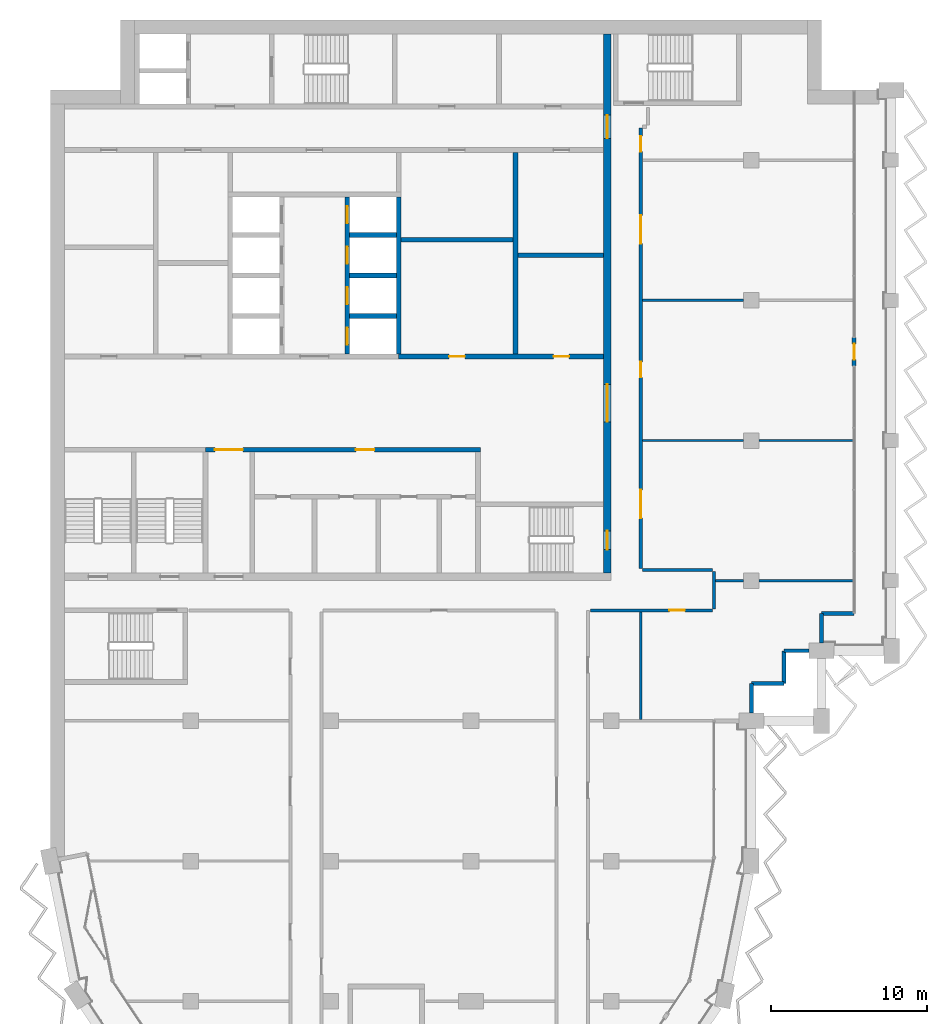
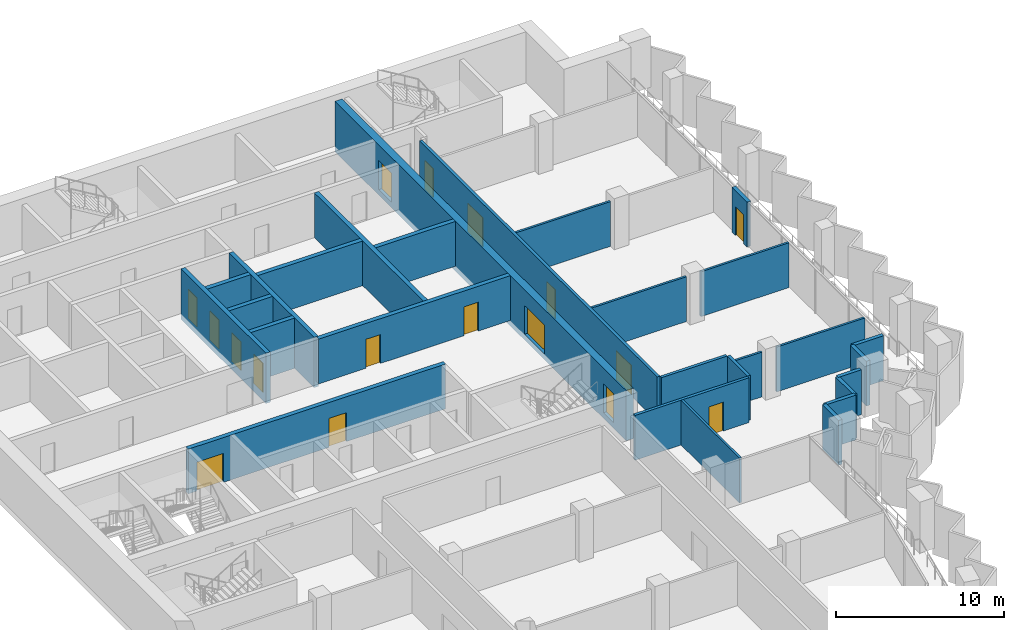
# One storey, part 10 of 17: 28 walls, 17 doors, 17 openings.
"""IFC4 building model written with IfcOpenShell, lengths in metres."""

from ifc_helpers import new_model, si_unit, direction, frame, frame_2d, origin, place, context, subcontext, project, spatial, rectangle, extrude, material, layer, layer_set, type_object, element, fill, save


model = new_model("IFC4")

# Units and contexts
model_context = context("Model", 3, precision=1e-05, world=origin(), true_north=direction((0.0, 1.0)))
body_context = subcontext(model_context, "Body", "Model", "MODEL_VIEW")
ifc_project = project(units=[si_unit("LENGTHUNIT", "METRE"), si_unit("AREAUNIT", "SQUARE_METRE"), si_unit("VOLUMEUNIT", "CUBIC_METRE"), si_unit("PLANEANGLEUNIT", "RADIAN"), si_unit("MASSUNIT", "GRAM", prefix="KILO")], contexts=[model_context])

# Site, building, storey
site_placement = place(None, origin())
site = spatial("IfcSite", under=ifc_project, at=site_placement, CompositionType="ELEMENT")
building_placement = place(site_placement, origin())
building = spatial("IfcBuilding", under=site, at=building_placement, Name="Hunhe Ridgeline Campus", CompositionType="ELEMENT")
storey_placement = place(building_placement, frame((0.0, 0.0, 272.5)))
storey = spatial("IfcBuildingStorey", under=building, at=storey_placement, Name="L70", CompositionType="ELEMENT", Elevation=272.5)

# Wall, openings, doors
ifc_material_1 = material(Name="Masonry concrete blockwork", Category="masonry")
ifc_layer_1 = layer(ifc_material_1, 0.300048828125)
ifc_layer_set_1 = layer_set([ifc_layer_1], Name="Core room partition 300 concrete block")
wall_type_1 = type_object("IfcWallType", Name="Core room partition 300 concrete block", PredefinedType="PARTITIONING", material=ifc_layer_set_1)
wall_1_placement = place(storey_placement, frame((9.949951171875, 71.39990234375, 0.0), z_axis=(0.0, 0.0, 1.0), x_axis=(1.0, 0.0, 0.0)))
wall_1 = element("IfcWall", 1, at=wall_1_placement, inside=storey, type_object=wall_type_1, Name="L70 core partition 9", PredefinedType="PARTITIONING", context=body_context, shape_type="SweptSolid", body=[
    extrude(rectangle(XDim=17.650146484375, YDim=0.300048828125, at=frame_2d((8.8251953125, 0.0))), origin(), (0.0, 0.0, 1.0), 3.25),
])
opening_1_placement = place(wall_1_placement, frame((0.60009765625, 0.0, 0.0)))
opening_1 = element("IfcOpeningElement", 2, at=opening_1_placement, cuts=wall_1, Name="Opening CD7", PredefinedType="OPENING", context=body_context, shape_type="SweptSolid", body=[
    extrude(rectangle(XDim=1.800048828125, YDim=2.10009765625, at=frame_2d((0.89990234375, 1.050048828125))), frame((0.0, 0.14990234375, 0.0), z_axis=(0.0, -1.0, 0.0), x_axis=(1.0, 0.0, 0.0)), (0.0, 0.0, 1.0), 0.300048828125),
])
opening_2_placement = place(wall_1_placement, frame((9.64990234375, 0.0, 0.0)))
opening_2 = element("IfcOpeningElement", 3, at=opening_2_placement, cuts=wall_1, Name="Opening CD12", PredefinedType="OPENING", context=body_context, shape_type="SweptSolid", body=[
    extrude(rectangle(XDim=1.199951171875, YDim=2.10009765625, at=frame_2d((0.60009765625, 1.050048828125))), frame((0.0, 0.14990234375, 0.0), z_axis=(0.0, -1.0, 0.0), x_axis=(1.0, 0.0, 0.0)), (0.0, 0.0, 1.0), 0.300048828125),
])
ifc_material_2 = material(Name="Anodised aluminium and glass", Category="aluminium")
door_type_1 = type_object("IfcDoorType", Name="Glazed double door 1800x2100", OperationType="DOUBLE_DOOR_SINGLE_SWING", PredefinedType="DOOR", material=ifc_material_2)
door_1_placement = place(opening_1_placement, origin())
door_1 = element("IfcDoor", 4, at=door_1_placement, inside=storey, type_object=door_type_1, Name="L70 door VEST-HALL", OperationType="DOUBLE_DOOR_SINGLE_SWING", OverallHeight=2.10009765625, OverallWidth=1.800048828125, PredefinedType="DOOR", context=body_context, shape_type="SweptSolid", body=[
    extrude(rectangle(XDim=1.800048828125, YDim=2.10009765625, at=frame_2d((0.89990234375, 1.050048828125))), frame((0.0, 0.02490234375, 0.0), z_axis=(0.0, -1.0, 0.0), x_axis=(1.0, 0.0, 0.0)), (0.0, 0.0, 1.0), 0.050048828125),
])
fill(opening_1, door_1)
ifc_material_3 = material(Name="Solid core timber door leaf", Category="wood")
door_type_2 = type_object("IfcDoorType", Name="Timber door 1200x2100", OperationType="SINGLE_SWING_LEFT", PredefinedType="DOOR", material=ifc_material_3)
door_2_placement = place(opening_2_placement, origin())
door_2 = element("IfcDoor", 5, at=door_2_placement, inside=storey, type_object=door_type_2, Name="L70 door WCL2-HALL", OperationType="SINGLE_SWING_RIGHT", OverallHeight=2.10009765625, OverallWidth=1.199951171875, PredefinedType="DOOR", context=body_context, shape_type="SweptSolid", body=[
    extrude(rectangle(XDim=1.199951171875, YDim=2.10009765625, at=frame_2d((0.60009765625, 1.050048828125))), frame((0.0, 0.02490234375, 0.0), z_axis=(0.0, -1.0, 0.0), x_axis=(1.0, 0.0, 0.0)), (0.0, 0.0, 1.0), 0.050048828125),
])
fill(opening_2, door_2)

wall_2_placement = place(storey_placement, frame((22.35009765625, 77.39990234375, 0.0), z_axis=(0.0, 0.0, 1.0), x_axis=(1.0, 0.0, 0.0)))
wall_2 = element("IfcWall", 6, at=wall_2_placement, inside=storey, type_object=wall_type_1, Name="L70 core partition 11", PredefinedType="PARTITIONING", context=body_context, shape_type="SweptSolid", body=[
    extrude(rectangle(XDim=13.14990234375, YDim=0.300048828125, at=frame_2d((6.574951171875, 0.0))), origin(), (0.0, 0.0, 1.0), 3.25),
])
opening_3_placement = place(wall_2_placement, frame((3.25, 0.0, 0.0)))
opening_3 = element("IfcOpeningElement", 7, at=opening_3_placement, cuts=wall_2, Name="Opening CD32", PredefinedType="OPENING", context=body_context, shape_type="SweptSolid", body=[
    extrude(rectangle(XDim=1.0, YDim=2.10009765625, at=frame_2d((0.5, 1.050048828125))), frame((0.0, 0.14990234375, 0.0), z_axis=(0.0, -1.0, 0.0), x_axis=(1.0, 0.0, 0.0)), (0.0, 0.0, 1.0), 0.300048828125),
])
opening_4_placement = place(wall_2_placement, frame((9.949951171875, 0.0, 0.0)))
opening_4 = element("IfcOpeningElement", 8, at=opening_4_placement, cuts=wall_2, Name="Opening CD42", PredefinedType="OPENING", context=body_context, shape_type="SweptSolid", body=[
    extrude(rectangle(XDim=1.0, YDim=2.10009765625, at=frame_2d((0.5, 1.050048828125))), frame((0.0, 0.14990234375, 0.0), z_axis=(0.0, -1.0, 0.0), x_axis=(1.0, 0.0, 0.0)), (0.0, 0.0, 1.0), 0.300048828125),
])
door_type_3 = type_object("IfcDoorType", Name="Timber door 1000x2100", OperationType="SINGLE_SWING_LEFT", PredefinedType="DOOR", material=ifc_material_3)
door_3_placement = place(opening_3_placement, origin())
door_3 = element("IfcDoor", 9, at=door_3_placement, inside=storey, type_object=door_type_3, Name="L70 door ES0", OperationType="SINGLE_SWING_LEFT", OverallHeight=2.10009765625, OverallWidth=1.0, PredefinedType="DOOR", context=body_context, shape_type="SweptSolid", body=[
    extrude(rectangle(XDim=1.0, YDim=2.10009765625, at=frame_2d((0.5, 1.050048828125))), frame((0.0, 0.02490234375, 0.0), z_axis=(0.0, -1.0, 0.0), x_axis=(1.0, 0.0, 0.0)), (0.0, 0.0, 1.0), 0.050048828125),
])
fill(opening_3, door_3)
door_4_placement = place(opening_4_placement, origin())
door_4 = element("IfcDoor", 10, at=door_4_placement, inside=storey, type_object=door_type_3, Name="L70 door ES2", OperationType="SINGLE_SWING_LEFT", OverallHeight=2.10009765625, OverallWidth=1.0, PredefinedType="DOOR", context=body_context, shape_type="SweptSolid", body=[
    extrude(rectangle(XDim=1.0, YDim=2.10009765625, at=frame_2d((0.5, 1.050048828125))), frame((0.0, 0.02490234375, 0.0), z_axis=(0.0, -1.0, 0.0), x_axis=(1.0, 0.0, 0.0)), (0.0, 0.0, 1.0), 0.050048828125),
])
fill(opening_4, door_4)

# Walls
wall_3_placement = place(storey_placement, frame((30.0, 83.89990234375, 0.0), z_axis=(0.0, 0.0, 1.0), x_axis=(1.0, 0.0, 0.0)))
element("IfcWall", 11, at=wall_3_placement, inside=storey, type_object=wall_type_1, Name="L70 core partition 17", PredefinedType="PARTITIONING", context=body_context, shape_type="SweptSolid", body=[
    extrude(rectangle(XDim=5.5, YDim=0.300048828125, at=frame_2d((2.75, 0.0))), origin(), (0.0, 0.0, 1.0), 3.25),
])
wall_4_placement = place(storey_placement, frame((22.5, 84.89990234375, 0.0), z_axis=(0.0, 0.0, 1.0), x_axis=(1.0, 0.0, 0.0)))
element("IfcWall", 12, at=wall_4_placement, inside=storey, type_object=wall_type_1, Name="L70 core partition 19", PredefinedType="PARTITIONING", context=body_context, shape_type="SweptSolid", body=[
    extrude(rectangle(XDim=7.199951171875, YDim=0.300048828125, at=frame_2d((3.60009765625, 0.0))), origin(), (0.0, 0.0, 1.0), 3.25),
])
wall_5_placement = place(storey_placement, frame((29.85009765625, 77.550048828125, 0.0), z_axis=(0.0, 0.0, 1.0), x_axis=(0.0, 1.0, 0.0)))
element("IfcWall", 13, at=wall_5_placement, inside=storey, type_object=wall_type_1, Name="L70 core partition 50", PredefinedType="PARTITIONING", context=body_context, shape_type="SweptSolid", body=[
    extrude(rectangle(XDim=12.949951171875, YDim=0.300048828125, at=frame_2d((6.47509765625, 0.0))), origin(), (0.0, 0.0, 1.0), 3.25),
])

# Wall, openings, doors
ifc_material_4 = material(Name="Concrete C50", Category="concrete")
ifc_layer_2 = layer(ifc_material_4, 0.5)
ifc_layer_set_2 = layer_set([ifc_layer_2], Name="Core wall 500 reinforced concrete C50")
wall_type_2 = type_object("IfcWallType", Name="Core wall 500 reinforced concrete C50", PredefinedType="SOLIDWALL", material=ifc_layer_set_2)
wall_6_placement = place(storey_placement, frame((35.75, 63.5, -0.39990234375), z_axis=(0.0, 0.0, 1.0), x_axis=(0.0, 1.0, 0.0)))
wall_6 = element("IfcWall", 14, at=wall_6_placement, inside=storey, type_object=wall_type_2, Name="L70 core wall 51", PredefinedType="SOLIDWALL", context=body_context, shape_type="SweptSolid", body=[
    extrude(rectangle(XDim=34.60009765625, YDim=0.5, at=frame_2d((17.300048828125, 0.0))), origin(), (0.0, 0.0, 1.0), 3.64990234375),
])
opening_5_placement = place(wall_6_placement, frame((9.699951171875, 0.0, 0.39990234375)))
opening_5 = element("IfcOpeningElement", 15, at=opening_5_placement, cuts=wall_6, Name="Opening CD4", PredefinedType="OPENING", context=body_context, shape_type="SweptSolid", body=[
    extrude(rectangle(XDim=2.39990234375, YDim=2.10009765625, at=frame_2d((1.199951171875, 1.050048828125))), frame((0.0, 0.25, 0.0), z_axis=(0.0, -1.0, 0.0), x_axis=(1.0, 0.0, 0.0)), (0.0, 0.0, 1.0), 0.5),
])
opening_6_placement = place(wall_6_placement, frame((27.89990234375, 0.0, 0.39990234375)))
opening_6 = element("IfcOpeningElement", 16, at=opening_6_placement, cuts=wall_6, Name="Opening CD5", PredefinedType="OPENING", context=body_context, shape_type="SweptSolid", body=[
    extrude(rectangle(XDim=1.5, YDim=2.10009765625, at=frame_2d((0.75, 1.050048828125))), frame((0.0, 0.25, 0.0), z_axis=(0.0, -1.0, 0.0), x_axis=(1.0, 0.0, 0.0)), (0.0, 0.0, 1.0), 0.5),
])
opening_7_placement = place(wall_6_placement, frame((1.5, 0.0, 0.39990234375)))
opening_7 = element("IfcOpeningElement", 17, at=opening_7_placement, cuts=wall_6, Name="Opening CD15", PredefinedType="OPENING", context=body_context, shape_type="SweptSolid", body=[
    extrude(rectangle(XDim=1.199951171875, YDim=2.10009765625, at=frame_2d((0.60009765625, 1.050048828125))), frame((0.0, 0.25, 0.0), z_axis=(0.0, -1.0, 0.0), x_axis=(1.0, 0.0, 0.0)), (0.0, 0.0, 1.0), 0.5),
])
door_type_4 = type_object("IfcDoorType", Name="Glazed double door 2400x2100", OperationType="DOUBLE_DOOR_SINGLE_SWING", PredefinedType="DOOR", material=ifc_material_2)
door_5_placement = place(opening_5_placement, frame((2.39990234375, 0.0, 0.0), z_axis=(0.0, 0.0, 1.0), x_axis=(-1.0, 0.0, 0.0)))
door_5 = element("IfcDoor", 18, at=door_5_placement, inside=storey, type_object=door_type_4, Name="L70 door HALL-FLOOR", OperationType="DOUBLE_DOOR_SINGLE_SWING", OverallHeight=2.10009765625, OverallWidth=2.39990234375, PredefinedType="DOOR", context=body_context, shape_type="SweptSolid", body=[
    extrude(rectangle(XDim=2.39990234375, YDim=2.10009765625, at=frame_2d((1.199951171875, 1.050048828125))), frame((0.0, 0.02490234375, 0.0), z_axis=(0.0, -1.0, 0.0), x_axis=(1.0, 0.0, 0.0)), (0.0, 0.0, 1.0), 0.050048828125),
])
fill(opening_5, door_5)
ifc_material_5 = material(Name="Hollow metal fire door leaf")
door_type_5 = type_object("IfcDoorType", Name="Stair door 1200x2100 FD60", OperationType="SINGLE_SWING_LEFT", PredefinedType="DOOR", material=ifc_material_5)
door_6_placement = place(opening_7_placement, frame((1.199951171875, 0.0, 0.0), z_axis=(0.0, 0.0, 1.0), x_axis=(-1.0, 0.0, 0.0)))
door_6 = element("IfcDoor", 19, at=door_6_placement, inside=storey, type_object=door_type_5, Name="L70 door S2-FLOOR", OperationType="SINGLE_SWING_LEFT", OverallHeight=2.10009765625, OverallWidth=1.199951171875, PredefinedType="DOOR", context=body_context, shape_type="SweptSolid", body=[
    extrude(rectangle(XDim=1.199951171875, YDim=2.10009765625, at=frame_2d((0.60009765625, 1.050048828125))), frame((0.0, 0.02490234375, 0.0), z_axis=(0.0, -1.0, 0.0), x_axis=(1.0, 0.0, 0.0)), (0.0, 0.0, 1.0), 0.050048828125),
])
fill(opening_7, door_6)
door_type_6 = type_object("IfcDoorType", Name="Timber door 1500x2100", OperationType="SINGLE_SWING_LEFT", PredefinedType="DOOR", material=ifc_material_3)
door_7_placement = place(opening_6_placement, frame((1.5, 0.0, 0.0), z_axis=(0.0, 0.0, 1.0), x_axis=(-1.0, 0.0, 0.0)))
door_7 = element("IfcDoor", 20, at=door_7_placement, inside=storey, type_object=door_type_6, Name="L70 door C1-FLOOR", OperationType="SINGLE_SWING_LEFT", OverallHeight=2.10009765625, OverallWidth=1.5, PredefinedType="DOOR", context=body_context, shape_type="SweptSolid", body=[
    extrude(rectangle(XDim=1.5, YDim=2.10009765625, at=frame_2d((0.75, 1.050048828125))), frame((0.0, 0.02490234375, 0.0), z_axis=(0.0, -1.0, 0.0), x_axis=(1.0, 0.0, 0.0)), (0.0, 0.0, 1.0), 0.050048828125),
])
fill(opening_6, door_7)

# Walls
ifc_material_6 = material(Name="Concrete C30", Category="concrete")
ifc_layer_3 = layer(ifc_material_6, 0.25)
ifc_layer_set_3 = layer_set([ifc_layer_3], Name="Corner return wall 250 Concrete C30")
wall_type_3 = type_object("IfcWallType", Name="Corner return wall 250 Concrete C30", PredefinedType="SOLIDWALL", material=ifc_layer_set_3)
wall_7_placement = place(storey_placement, frame((44.9990234375, 54.5, 0.0), z_axis=(0.0, 0.0, 1.0), x_axis=(0.000128452151, 0.99999999175, 0.0)))
element("IfcWall", 21, at=wall_7_placement, inside=storey, type_object=wall_type_3, Name="Corner return wall 3", PredefinedType="SOLIDWALL", context=body_context, shape_type="SweptSolid", body=[
    extrude(rectangle(XDim=1.900634765625, YDim=0.25, at=frame_2d((0.9501953125, 0.0))), origin(), (0.0, 0.0, 1.0), 3.25),
])
wall_8_placement = place(storey_placement, frame((44.999267578125, 56.400634765625, 0.0), z_axis=(0.0, 0.0, 1.0), x_axis=(0.999999993241, 0.00011626555, 0.0)))
element("IfcWall", 22, at=wall_8_placement, inside=storey, type_object=wall_type_3, Name="Corner return wall 4", PredefinedType="SOLIDWALL", context=body_context, shape_type="SweptSolid", body=[
    extrude(rectangle(XDim=2.099853515625, YDim=0.25, at=frame_2d((1.0498046875, 0.0))), origin(), (0.0, 0.0, 1.0), 3.25),
])
wall_9_placement = place(storey_placement, frame((47.09912109375, 56.40087890625, 0.0), z_axis=(0.0, 0.0, 1.0), x_axis=(0.000232504063, 0.999999972971, 0.0)))
element("IfcWall", 23, at=wall_9_placement, inside=storey, type_object=wall_type_3, Name="Corner return wall 5", PredefinedType="SOLIDWALL", context=body_context, shape_type="SweptSolid", body=[
    extrude(rectangle(XDim=2.10009765625, YDim=0.25, at=frame_2d((1.050048828125, 0.0))), origin(), (0.0, 0.0, 1.0), 3.25),
])
wall_10_placement = place(storey_placement, frame((47.099609375, 58.5009765625, 0.0), z_axis=(0.0, 0.0, 1.0), x_axis=(1.0, 0.0, 0.0)))
element("IfcWall", 24, at=wall_10_placement, inside=storey, type_object=wall_type_3, Name="Corner return wall 6", PredefinedType="SOLIDWALL", context=body_context, shape_type="SweptSolid", body=[
    extrude(rectangle(XDim=1.600341796875, YDim=0.25, at=frame_2d((0.80029296875, 0.0))), origin(), (0.0, 0.0, 1.0), 3.25),
])
wall_11_placement = place(storey_placement, frame((49.4990234375, 59.0, 0.0), z_axis=(0.0, 0.0, 1.0), x_axis=(0.000256871299, 0.999999967009, 0.0)))
element("IfcWall", 25, at=wall_11_placement, inside=storey, type_object=wall_type_3, Name="Corner return wall 7", PredefinedType="SOLIDWALL", context=body_context, shape_type="SweptSolid", body=[
    extrude(rectangle(XDim=1.90087890625, YDim=0.25, at=frame_2d((0.950439453125, 0.0))), origin(), (0.0, 0.0, 1.0), 3.25),
])
wall_12_placement = place(storey_placement, frame((49.49951171875, 60.90087890625, 0.0), z_axis=(0.0, 0.0, 1.0), x_axis=(1.0, 0.0, 0.0)))
element("IfcWall", 26, at=wall_12_placement, inside=storey, type_object=wall_type_3, Name="Corner return wall 8", PredefinedType="SOLIDWALL", context=body_context, shape_type="SweptSolid", body=[
    extrude(rectangle(XDim=2.099609375, YDim=0.25, at=frame_2d((1.0498046875, 0.0))), origin(), (0.0, 0.0, 1.0), 3.25),
])

# Wall, opening, door
ifc_material_7 = material(Name="Gypsum board partition")
ifc_layer_4 = layer(ifc_material_7, 0.199951171875)
ifc_layer_set_4 = layer_set([ifc_layer_4], Name="Corridor partition 200 gypsum board on steel studs")
wall_type_4 = type_object("IfcWallType", Name="Corridor partition 200 gypsum board on steel studs", PredefinedType="PARTITIONING", material=ifc_layer_set_4)
wall_13_placement = place(storey_placement, frame((42.5, 61.10009765625, 0.0), z_axis=(0.0, 0.0, 1.0), x_axis=(-1.0, 0.0, 0.0)))
wall_13 = element("IfcWall", 27, at=wall_13_placement, inside=storey, type_object=wall_type_4, Name="F-L70-wall-026", PredefinedType="PARTITIONING", context=body_context, shape_type="SweptSolid", body=[
    extrude(rectangle(XDim=7.828369140625, YDim=0.199951171875, at=frame_2d((3.9140625, 0.0))), origin(), (0.0, 0.0, 1.0), 3.25),
])
opening_8_placement = place(wall_13_placement, frame((1.772705078125, 0.0, 0.0)))
opening_8 = element("IfcOpeningElement", 28, at=opening_8_placement, cuts=wall_13, Name="Opening RD1-013", PredefinedType="OPENING", context=body_context, shape_type="SweptSolid", body=[
    extrude(rectangle(XDim=1.0, YDim=2.10009765625, at=frame_2d((0.5, 1.050048828125))), frame((0.0, 0.10009765625, 0.0), z_axis=(0.0, -1.0, 0.0), x_axis=(1.0, 0.0, 0.0)), (0.0, 0.0, 1.0), 0.199951171875),
])
ifc_material_8 = material(Name="Timber door leaf", Category="wood")
door_type_7 = type_object("IfcDoorType", Name="Single fire door 1000x2100 timber FD60", OperationType="NOTDEFINED", PredefinedType="DOOR", material=ifc_material_8)
door_8_placement = place(opening_8_placement, origin())
door_8 = element("IfcDoor", 29, at=door_8_placement, inside=storey, type_object=door_type_7, Name="F-L70-door-013", OperationType="SINGLE_SWING_LEFT", OverallHeight=2.10009765625, OverallWidth=1.0, PredefinedType="DOOR", context=body_context, shape_type="SweptSolid", body=[
    extrude(rectangle(XDim=1.0, YDim=2.10009765625, at=frame_2d((0.5, 1.050048828125))), frame((0.0, 0.02490234375, 0.0), z_axis=(0.0, -1.0, 0.0), x_axis=(1.0, 0.0, 0.0)), (0.0, 0.0, 1.0), 0.050048828125),
])
fill(opening_8, door_8)

# Wall
wall_14_placement = place(storey_placement, frame((38.0, 63.699951171875, 0.0), z_axis=(0.0, 0.0, 1.0), x_axis=(1.0, 0.0, 0.0)))
element("IfcWall", 30, at=wall_14_placement, inside=storey, type_object=wall_type_4, Name="F-L70-wall-029", PredefinedType="PARTITIONING", context=body_context, shape_type="SweptSolid", body=[
    extrude(rectangle(XDim=4.5, YDim=0.199951171875, at=frame_2d((2.25, 0.0))), origin(), (0.0, 0.0, 1.0), 3.25),
])

# Wall, openings, doors
wall_15_placement = place(storey_placement, frame((37.89990234375, 92.050048828125, 0.0), z_axis=(0.0, 0.0, 1.0), x_axis=(0.0, -1.0, 0.0)))
wall_15 = element("IfcWall", 31, at=wall_15_placement, inside=storey, type_object=wall_type_4, Name="F-L70-wall-046", PredefinedType="PARTITIONING", context=body_context, shape_type="SweptSolid", body=[
    extrude(rectangle(XDim=28.25, YDim=0.199951171875, at=frame_2d((14.125, 0.0))), origin(), (0.0, 0.0, 1.0), 3.25),
])
opening_9_placement = place(wall_15_placement, frame((23.22509765625, 0.0, 0.0)))
opening_9 = element("IfcOpeningElement", 32, at=opening_9_placement, cuts=wall_15, Name="Opening RD2-014", PredefinedType="OPENING", context=body_context, shape_type="SweptSolid", body=[
    extrude(rectangle(XDim=1.800048828125, YDim=2.10009765625, at=frame_2d((0.89990234375, 1.050048828125))), frame((0.0, 0.10009765625, 0.0), z_axis=(0.0, -1.0, 0.0), x_axis=(1.0, 0.0, 0.0)), (0.0, 0.0, 1.0), 0.199951171875),
])
opening_10_placement = place(wall_15_placement, frame((15.0, 0.0, 0.0)))
opening_10 = element("IfcOpeningElement", 33, at=opening_10_placement, cuts=wall_15, Name="Opening RD1-015", PredefinedType="OPENING", context=body_context, shape_type="SweptSolid", body=[
    extrude(rectangle(XDim=1.0, YDim=2.10009765625, at=frame_2d((0.5, 1.050048828125))), frame((0.0, 0.10009765625, 0.0), z_axis=(0.0, -1.0, 0.0), x_axis=(1.0, 0.0, 0.0)), (0.0, 0.0, 1.0), 0.199951171875),
])
opening_11_placement = place(wall_15_placement, frame((5.60009765625, 0.0, 0.0)))
opening_11 = element("IfcOpeningElement", 34, at=opening_11_placement, cuts=wall_15, Name="Opening RD2-016", PredefinedType="OPENING", context=body_context, shape_type="SweptSolid", body=[
    extrude(rectangle(XDim=1.800048828125, YDim=2.10009765625, at=frame_2d((0.89990234375, 1.050048828125))), frame((0.0, 0.10009765625, 0.0), z_axis=(0.0, -1.0, 0.0), x_axis=(1.0, 0.0, 0.0)), (0.0, 0.0, 1.0), 0.199951171875),
])
opening_12_placement = place(wall_15_placement, frame((0.5, 0.0, 0.0)))
opening_12 = element("IfcOpeningElement", 35, at=opening_12_placement, cuts=wall_15, Name="Opening RD1-017", PredefinedType="OPENING", context=body_context, shape_type="SweptSolid", body=[
    extrude(rectangle(XDim=1.0, YDim=2.10009765625, at=frame_2d((0.5, 1.050048828125))), frame((0.0, 0.10009765625, 0.0), z_axis=(0.0, -1.0, 0.0), x_axis=(1.0, 0.0, 0.0)), (0.0, 0.0, 1.0), 0.199951171875),
])
door_type_8 = type_object("IfcDoorType", Name="Double fire door 1800x2100 timber FD60", OperationType="DOUBLE_DOOR_SINGLE_SWING", PredefinedType="DOOR", material=ifc_material_8)
door_9_placement = place(opening_9_placement, origin())
door_9 = element("IfcDoor", 36, at=door_9_placement, inside=storey, type_object=door_type_8, Name="F-L70-door-014", OperationType="DOUBLE_DOOR_SINGLE_SWING", OverallHeight=2.10009765625, OverallWidth=1.800048828125, PredefinedType="DOOR", context=body_context, shape_type="SweptSolid", body=[
    extrude(rectangle(XDim=1.800048828125, YDim=2.10009765625, at=frame_2d((0.89990234375, 1.050048828125))), frame((0.0, 0.02490234375, 0.0), z_axis=(0.0, -1.0, 0.0), x_axis=(1.0, 0.0, 0.0)), (0.0, 0.0, 1.0), 0.050048828125),
])
fill(opening_9, door_9)
door_10_placement = place(opening_11_placement, origin())
door_10 = element("IfcDoor", 37, at=door_10_placement, inside=storey, type_object=door_type_8, Name="F-L70-door-016", OperationType="DOUBLE_DOOR_SINGLE_SWING", OverallHeight=2.10009765625, OverallWidth=1.800048828125, PredefinedType="DOOR", context=body_context, shape_type="SweptSolid", body=[
    extrude(rectangle(XDim=1.800048828125, YDim=2.10009765625, at=frame_2d((0.89990234375, 1.050048828125))), frame((0.0, 0.02490234375, 0.0), z_axis=(0.0, -1.0, 0.0), x_axis=(1.0, 0.0, 0.0)), (0.0, 0.0, 1.0), 0.050048828125),
])
fill(opening_11, door_10)
door_11_placement = place(opening_10_placement, origin())
door_11 = element("IfcDoor", 38, at=door_11_placement, inside=storey, type_object=door_type_7, Name="F-L70-door-015", OperationType="SINGLE_SWING_LEFT", OverallHeight=2.10009765625, OverallWidth=1.0, PredefinedType="DOOR", context=body_context, shape_type="SweptSolid", body=[
    extrude(rectangle(XDim=1.0, YDim=2.10009765625, at=frame_2d((0.5, 1.050048828125))), frame((0.0, 0.02490234375, 0.0), z_axis=(0.0, -1.0, 0.0), x_axis=(1.0, 0.0, 0.0)), (0.0, 0.0, 1.0), 0.050048828125),
])
fill(opening_10, door_11)
door_12_placement = place(opening_12_placement, origin())
door_12 = element("IfcDoor", 39, at=door_12_placement, inside=storey, type_object=door_type_7, Name="F-L70-door-017", OperationType="SINGLE_SWING_LEFT", OverallHeight=2.10009765625, OverallWidth=1.0, PredefinedType="DOOR", context=body_context, shape_type="SweptSolid", body=[
    extrude(rectangle(XDim=1.0, YDim=2.10009765625, at=frame_2d((0.5, 1.050048828125))), frame((0.0, 0.02490234375, 0.0), z_axis=(0.0, -1.0, 0.0), x_axis=(1.0, 0.0, 0.0)), (0.0, 0.0, 1.0), 0.050048828125),
])
fill(opening_12, door_12)

# Wall
wall_16_placement = place(storey_placement, frame((42.60009765625, 63.60009765625, 0.0), z_axis=(0.0, 0.0, 1.0), x_axis=(0.0, -1.0, 0.0)))
element("IfcWall", 40, at=wall_16_placement, inside=storey, type_object=wall_type_4, Name="F-L70-wall-048", PredefinedType="PARTITIONING", context=body_context, shape_type="SweptSolid", body=[
    extrude(rectangle(XDim=2.400146484375, YDim=0.199951171875, at=frame_2d((1.2001953125, 0.0))), origin(), (0.0, 0.0, 1.0), 3.25),
])

# Wall, opening, door
ifc_layer_5 = layer(ifc_material_6, 0.25)
ifc_layer_set_5 = layer_set([ifc_layer_5], Name="Loggia door pier wall 250 Concrete C30")
wall_type_5 = type_object("IfcWallType", Name="Loggia door pier wall 250 Concrete C30", PredefinedType="SOLIDWALL", material=ifc_layer_set_5)
wall_17_placement = place(storey_placement, frame((51.59912109375, 76.800537109375, 0.0), z_axis=(0.0, 0.0, 1.0), x_axis=(0.0, 1.0, 0.0)))
wall_17 = element("IfcWall", 41, at=wall_17_placement, inside=storey, type_object=wall_type_5, Name="Loggia door pier 3", PredefinedType="SOLIDWALL", context=body_context, shape_type="SweptSolid", body=[
    extrude(rectangle(XDim=1.800048828125, YDim=0.25, at=frame_2d((0.89990234375, 0.0))), origin(), (0.0, 0.0, 1.0), 3.25),
])
opening_13_placement = place(wall_17_placement, frame((0.39990234375, 0.0, 0.0)))
opening_13 = element("IfcOpeningElement", 42, at=opening_13_placement, cuts=wall_17, Name="Opening BD506", PredefinedType="OPENING", context=body_context, shape_type="SweptSolid", body=[
    extrude(rectangle(XDim=1.0, YDim=2.10009765625, at=frame_2d((0.5, 1.050048828125))), frame((0.0, 0.125, 0.0), z_axis=(0.0, -1.0, 0.0), x_axis=(1.0, 0.0, 0.0)), (0.0, 0.0, 1.0), 0.25),
])
ifc_material_9 = material(Name="Aluminium 6063", Category="aluminium")
door_type_9 = type_object("IfcDoorType", Name="Loggia glazed door 1000x2100", OperationType="NOTDEFINED", PredefinedType="DOOR", material=ifc_material_9)
door_13_placement = place(opening_13_placement, frame((1.0, 0.0, 0.0), z_axis=(0.0, 0.0, 1.0), x_axis=(-1.0, 0.0, 0.0)))
door_13 = element("IfcDoor", 43, at=door_13_placement, inside=storey, type_object=door_type_9, Name="Loggia door BD506", OperationType="SINGLE_SWING_LEFT", OverallHeight=2.10009765625, OverallWidth=1.0, PredefinedType="DOOR", context=body_context, shape_type="SweptSolid", body=[
    extrude(rectangle(XDim=1.0, YDim=2.10009765625, at=frame_2d((0.5, 1.050048828125))), frame((0.0, 0.02490234375, 0.0), z_axis=(0.0, -1.0, 0.0), x_axis=(1.0, 0.0, 0.0)), (0.0, 0.0, 1.0), 0.050048828125),
])
fill(opening_13, door_13)

# Walls
ifc_layer_6 = layer(ifc_material_7, 0.14990234375)
ifc_layer_set_6 = layer_set([ifc_layer_6], Name="Room partition 150 gypsum board on steel studs")
wall_type_6 = type_object("IfcWallType", Name="Room partition 150 gypsum board on steel studs", PredefinedType="PARTITIONING", material=ifc_layer_set_6)
wall_18_placement = place(storey_placement, frame((42.699951171875, 63.0, 0.0), z_axis=(0.0, 0.0, 1.0), x_axis=(1.0, 0.0, 0.0)))
element("IfcWall", 44, at=wall_18_placement, inside=storey, type_object=wall_type_6, Name="F-L70-wall-027", PredefinedType="PARTITIONING", context=body_context, shape_type="SweptSolid", body=[
    extrude(rectangle(XDim=1.800048828125, YDim=0.14990234375, at=frame_2d((0.89990234375, 0.0))), origin(), (0.0, 0.0, 1.0), 3.25),
])
wall_19_placement = place(storey_placement, frame((45.5, 63.0, 0.0), z_axis=(0.0, 0.0, 1.0), x_axis=(1.0, 0.0, 0.0)))
element("IfcWall", 45, at=wall_19_placement, inside=storey, type_object=wall_type_6, Name="F-L70-wall-028", PredefinedType="PARTITIONING", context=body_context, shape_type="SweptSolid", body=[
    extrude(rectangle(XDim=6.044921875, YDim=0.14990234375, at=frame_2d((3.0224609375, 0.0))), origin(), (0.0, 0.0, 1.0), 3.25),
])
wall_20_placement = place(storey_placement, frame((38.0, 72.0, 0.0), z_axis=(0.0, 0.0, 1.0), x_axis=(1.0, 0.0, 0.0)))
element("IfcWall", 46, at=wall_20_placement, inside=storey, type_object=wall_type_6, Name="F-L70-wall-030", PredefinedType="PARTITIONING", context=body_context, shape_type="SweptSolid", body=[
    extrude(rectangle(XDim=6.5, YDim=0.14990234375, at=frame_2d((3.25, 0.0))), origin(), (0.0, 0.0, 1.0), 3.25),
])
wall_21_placement = place(storey_placement, frame((45.5, 72.0, 0.0), z_axis=(0.0, 0.0, 1.0), x_axis=(1.0, 0.0, 0.0)))
element("IfcWall", 47, at=wall_21_placement, inside=storey, type_object=wall_type_6, Name="F-L70-wall-031", PredefinedType="PARTITIONING", context=body_context, shape_type="SweptSolid", body=[
    extrude(rectangle(XDim=6.044921875, YDim=0.14990234375, at=frame_2d((3.0224609375, 0.0))), origin(), (0.0, 0.0, 1.0), 3.25),
])
wall_22_placement = place(storey_placement, frame((38.0, 81.0, 0.0), z_axis=(0.0, 0.0, 1.0), x_axis=(1.0, 0.0, 0.0)))
element("IfcWall", 48, at=wall_22_placement, inside=storey, type_object=wall_type_6, Name="F-L70-wall-032", PredefinedType="PARTITIONING", context=body_context, shape_type="SweptSolid", body=[
    extrude(rectangle(XDim=6.5, YDim=0.14990234375, at=frame_2d((3.25, 0.0))), origin(), (0.0, 0.0, 1.0), 3.25),
])
wall_23_placement = place(storey_placement, frame((37.89990234375, 61.0, 0.0), z_axis=(0.0, 0.0, 1.0), x_axis=(0.0, -1.0, 0.0)))
element("IfcWall", 49, at=wall_23_placement, inside=storey, type_object=wall_type_6, Name="F-L70-wall-045", PredefinedType="PARTITIONING", context=body_context, shape_type="SweptSolid", body=[
    extrude(rectangle(XDim=6.925048828125, YDim=0.14990234375, at=frame_2d((3.46240234375, 0.0))), origin(), (0.0, 0.0, 1.0), 3.25),
])
ifc_layer_7 = layer(ifc_material_4, 0.300048828125)
ifc_layer_set_7 = layer_set([ifc_layer_7], Name="Shaft wall 300 reinforced concrete C50")
wall_type_7 = type_object("IfcWallType", Name="Shaft wall 300 reinforced concrete C50", PredefinedType="SOLIDWALL", material=ifc_layer_set_7)
for number, where, z_axis, x_axis, name in (
    (50, (19.199951171875, 80.0, -0.39990234375), (0.0, 0.0, 1.0), (1.0, 0.0, 0.0), "L70 core wall 13"),
    (51, (19.199951171875, 82.60009765625, -0.39990234375), (0.0, 0.0, 1.0), (1.0, 0.0, 0.0), "L70 core wall 15"),
    (52, (19.199951171875, 85.199951171875, -0.39990234375), (0.0, 0.0, 1.0), (1.0, 0.0, 0.0), "L70 core wall 21"),
):
    element("IfcWall", number, at=place(storey_placement, frame(where, z_axis=z_axis, x_axis=x_axis)), inside=storey, type_object=wall_type_7, Name=name, PredefinedType="SOLIDWALL", context=body_context, shape_type="SweptSolid", body=[
        extrude(rectangle(XDim=3.0, YDim=0.300048828125, at=frame_2d((1.5, 0.0))), origin(), (0.0, 0.0, 1.0), 3.64990234375),
    ])

# Wall, openings, doors
wall_24_placement = place(storey_placement, frame((19.050048828125, 77.550048828125, -0.39990234375), z_axis=(0.0, 0.0, 1.0), x_axis=(0.0, 1.0, 0.0)))
wall_24 = element("IfcWall", 53, at=wall_24_placement, inside=storey, type_object=wall_type_7, Name="L70 core wall 39", PredefinedType="SOLIDWALL", context=body_context, shape_type="SweptSolid", body=[
    extrude(rectangle(XDim=10.099853515625, YDim=0.300048828125, at=frame_2d((5.0498046875, 0.0))), origin(), (0.0, 0.0, 1.0), 3.64990234375),
])
opening_14_placement = place(wall_24_placement, frame((0.60009765625, 0.0, 0.39990234375)))
opening_14 = element("IfcOpeningElement", 54, at=opening_14_placement, cuts=wall_24, Name="Opening LD-HR5", PredefinedType="OPENING", context=body_context, shape_type="SweptSolid", body=[
    extrude(rectangle(XDim=1.10009765625, YDim=2.10009765625, at=frame_2d((0.550048828125, 1.050048828125))), frame((0.0, 0.14990234375, 0.0), z_axis=(0.0, -1.0, 0.0), x_axis=(1.0, 0.0, 0.0)), (0.0, 0.0, 1.0), 0.300048828125),
])
opening_15_placement = place(wall_24_placement, frame((3.199951171875, 0.0, 0.39990234375)))
opening_15 = element("IfcOpeningElement", 55, at=opening_15_placement, cuts=wall_24, Name="Opening LD-HR6", PredefinedType="OPENING", context=body_context, shape_type="SweptSolid", body=[
    extrude(rectangle(XDim=1.10009765625, YDim=2.10009765625, at=frame_2d((0.550048828125, 1.050048828125))), frame((0.0, 0.14990234375, 0.0), z_axis=(0.0, -1.0, 0.0), x_axis=(1.0, 0.0, 0.0)), (0.0, 0.0, 1.0), 0.300048828125),
])
opening_16_placement = place(wall_24_placement, frame((5.800048828125, 0.0, 0.39990234375)))
opening_16 = element("IfcOpeningElement", 56, at=opening_16_placement, cuts=wall_24, Name="Opening LD-HR7", PredefinedType="OPENING", context=body_context, shape_type="SweptSolid", body=[
    extrude(rectangle(XDim=1.10009765625, YDim=2.10009765625, at=frame_2d((0.550048828125, 1.050048828125))), frame((0.0, 0.14990234375, 0.0), z_axis=(0.0, -1.0, 0.0), x_axis=(1.0, 0.0, 0.0)), (0.0, 0.0, 1.0), 0.300048828125),
])
opening_17_placement = place(wall_24_placement, frame((8.39990234375, 0.0, 0.39990234375)))
opening_17 = element("IfcOpeningElement", 57, at=opening_17_placement, cuts=wall_24, Name="Opening LD-HR8", PredefinedType="OPENING", context=body_context, shape_type="SweptSolid", body=[
    extrude(rectangle(XDim=1.10009765625, YDim=2.10009765625, at=frame_2d((0.550048828125, 1.050048828125))), frame((0.0, 0.14990234375, 0.0), z_axis=(0.0, -1.0, 0.0), x_axis=(1.0, 0.0, 0.0)), (0.0, 0.0, 1.0), 0.300048828125),
])
ifc_material_10 = material(Name="Stainless steel sliding leaves", Category="steel")
door_type_10 = type_object("IfcDoorType", Name="Landing door 1100x2100 FD120", OperationType="SLIDING_TO_LEFT", PredefinedType="DOOR", material=ifc_material_10)
door_14_placement = place(opening_14_placement, origin())
door_14 = element("IfcDoor", 58, at=door_14_placement, inside=storey, type_object=door_type_10, Name="L70 landing door HR5", OperationType="SLIDING_TO_RIGHT", OverallHeight=2.10009765625, OverallWidth=1.10009765625, PredefinedType="DOOR", context=body_context, shape_type="SweptSolid", body=[
    extrude(rectangle(XDim=1.10009765625, YDim=2.10009765625, at=frame_2d((0.550048828125, 1.050048828125))), frame((0.0, 0.02490234375, 0.0), z_axis=(0.0, -1.0, 0.0), x_axis=(1.0, 0.0, 0.0)), (0.0, 0.0, 1.0), 0.050048828125),
])
fill(opening_14, door_14)
door_15_placement = place(opening_15_placement, origin())
door_15 = element("IfcDoor", 59, at=door_15_placement, inside=storey, type_object=door_type_10, Name="L70 landing door HR6", OperationType="SLIDING_TO_LEFT", OverallHeight=2.10009765625, OverallWidth=1.10009765625, PredefinedType="DOOR", context=body_context, shape_type="SweptSolid", body=[
    extrude(rectangle(XDim=1.10009765625, YDim=2.10009765625, at=frame_2d((0.550048828125, 1.050048828125))), frame((0.0, 0.02490234375, 0.0), z_axis=(0.0, -1.0, 0.0), x_axis=(1.0, 0.0, 0.0)), (0.0, 0.0, 1.0), 0.050048828125),
])
fill(opening_15, door_15)
door_16_placement = place(opening_16_placement, origin())
door_16 = element("IfcDoor", 60, at=door_16_placement, inside=storey, type_object=door_type_10, Name="L70 landing door HR7", OperationType="SLIDING_TO_RIGHT", OverallHeight=2.10009765625, OverallWidth=1.10009765625, PredefinedType="DOOR", context=body_context, shape_type="SweptSolid", body=[
    extrude(rectangle(XDim=1.10009765625, YDim=2.10009765625, at=frame_2d((0.550048828125, 1.050048828125))), frame((0.0, 0.02490234375, 0.0), z_axis=(0.0, -1.0, 0.0), x_axis=(1.0, 0.0, 0.0)), (0.0, 0.0, 1.0), 0.050048828125),
])
fill(opening_16, door_16)
door_17_placement = place(opening_17_placement, origin())
door_17 = element("IfcDoor", 61, at=door_17_placement, inside=storey, type_object=door_type_10, Name="L70 landing door HR8", OperationType="SLIDING_TO_LEFT", OverallHeight=2.10009765625, OverallWidth=1.10009765625, PredefinedType="DOOR", context=body_context, shape_type="SweptSolid", body=[
    extrude(rectangle(XDim=1.10009765625, YDim=2.10009765625, at=frame_2d((0.550048828125, 1.050048828125))), frame((0.0, 0.02490234375, 0.0), z_axis=(0.0, -1.0, 0.0), x_axis=(1.0, 0.0, 0.0)), (0.0, 0.0, 1.0), 0.050048828125),
])
fill(opening_17, door_17)

# Wall
wall_25_placement = place(storey_placement, frame((22.35009765625, 77.550048828125, -0.39990234375), z_axis=(0.0, 0.0, 1.0), x_axis=(0.0, 1.0, 0.0)))
element("IfcWall", 62, at=wall_25_placement, inside=storey, type_object=wall_type_7, Name="L70 core wall 43", PredefinedType="SOLIDWALL", context=body_context, shape_type="SweptSolid", body=[
    extrude(rectangle(XDim=10.099853515625, YDim=0.300048828125, at=frame_2d((5.0498046875, 0.0))), origin(), (0.0, 0.0, 1.0), 3.64990234375),
])

save(model, "model.ifc")
